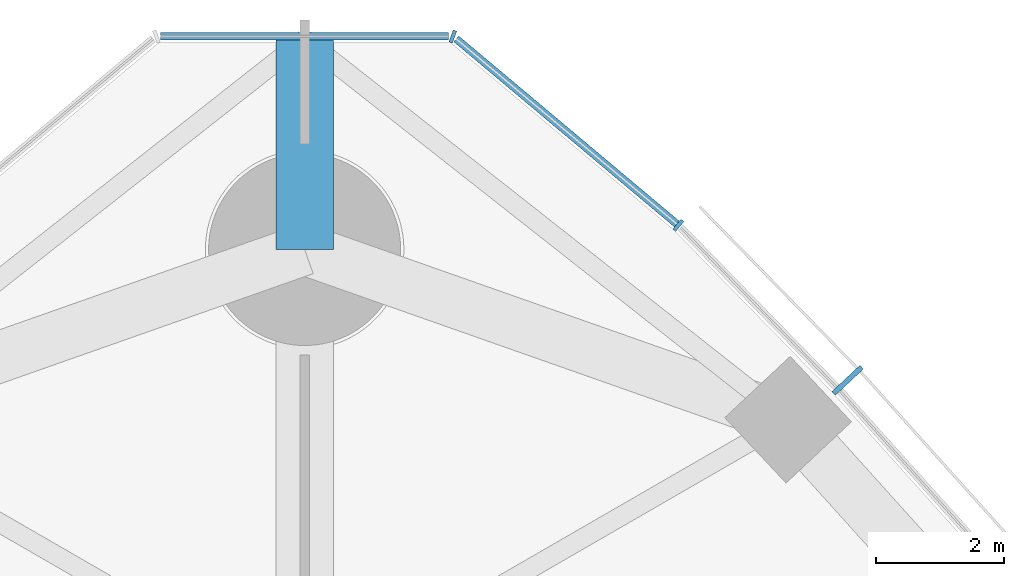
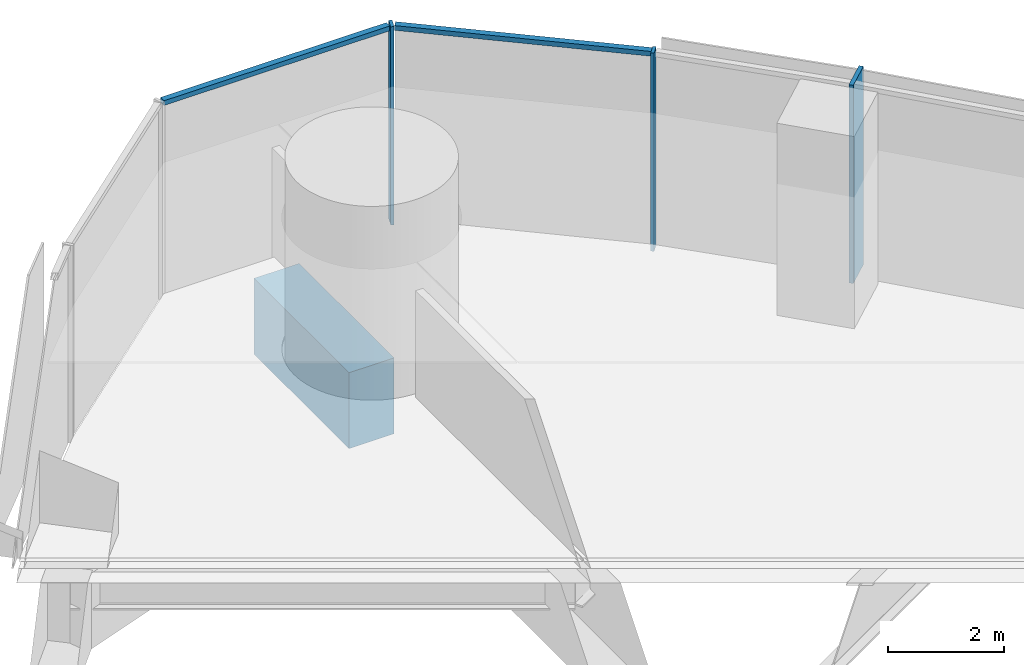
# One storey, part 8 of 19: 5 members, 1 beam, 2 elements without a shape of their own.
"""IFC4 building model written with IfcOpenShell, lengths in metres."""

from ifc_helpers import new_model, si_unit, direction, frame, origin, origin_2d, place, context, subcontext, project, spatial, rectangle, extrude, material, material_profile, profile_set, type_object, element, aggregate, save


model = new_model("IFC4")

# Units and contexts
model_context = context("Model", 3, precision=1e-05, world=origin(), true_north=direction((0.0, 1.0)))
body_context = subcontext(model_context, "Body", "Model", "MODEL_VIEW")
ifc_project = project(units=[si_unit("LENGTHUNIT", "METRE"), si_unit("AREAUNIT", "SQUARE_METRE"), si_unit("VOLUMEUNIT", "CUBIC_METRE"), si_unit("PLANEANGLEUNIT", "RADIAN"), si_unit("MASSUNIT", "GRAM", prefix="KILO")], contexts=[model_context])

# Site, building, storey
site_placement = place(None, origin())
site = spatial("IfcSite", under=ifc_project, at=site_placement, CompositionType="ELEMENT")
building_placement = place(site_placement, origin())
building = spatial("IfcBuilding", under=site, at=building_placement, Name="Trefoil Bronze Tower", CompositionType="ELEMENT")
storey_placement = place(building_placement, frame((0.0, 0.0, 248.5)))
storey = spatial("IfcBuildingStorey", under=building, at=storey_placement, Name="L57", CompositionType="ELEMENT", Elevation=248.5)

# Curtain wall, member
ifc_material_1 = material(Name="Tinted solar-control glass", Category="glass")
curtain_wall_type_1 = type_object("IfcCurtainWallType", Name="Bronze office curtain wall", PredefinedType="USERDEFINED", material=ifc_material_1)
curtain_wall_1_placement = place(storey_placement, origin())
curtain_wall_1 = element("IfcCurtainWall", 1, at=curtain_wall_1_placement, inside=storey, type_object=curtain_wall_type_1, Name="CW-A L57 F2", ObjectType="CURTAIN WALL", PredefinedType="USERDEFINED")
ifc_material_2 = material(Name="Bronze-finish aluminium", Category="aluminium")
ifc_material_profile_1 = material_profile(ifc_material_2, rectangle(XDim=0.60009765625, YDim=0.080078125, at=origin_2d()), Name="CW-A mullion")
ifc_profile_set_1 = profile_set([ifc_material_profile_1], Name="Bronze-finish aluminium")
member_type_1 = type_object("IfcMemberType", Name="Bronze office curtain wall mullion", PredefinedType="MULLION", material=ifc_profile_set_1)
member_1_placement = place(storey_placement, frame((8.482177734375, 30.95654296875, 0.0), z_axis=(0.0, 0.0, 1.0), x_axis=(-0.729859580661, -0.683597098091, 0.0)))
member_1 = element("IfcMember", 2, at=member_1_placement, type_object=member_type_1, Name="CW-A L57 F2 mullion 12", PredefinedType="MULLION", context=body_context, shape_type="SweptSolid", body=[
    extrude(rectangle(XDim=0.60009765625, YDim=0.080078125, at=origin_2d()), origin(), (0.0, 0.0, 1.0), 4.179931640625),
])
aggregate(curtain_wall_1, [member_1])

# Curtain wall, members
ifc_material_3 = material(Name="Tinted solar-control glass", Category="glass")
curtain_wall_type_2 = type_object("IfcCurtainWallType", Name="Bronze rounded corner curtain wall", PredefinedType="USERDEFINED", material=ifc_material_3)
curtain_wall_2_placement = place(storey_placement, origin())
curtain_wall_2 = element("IfcCurtainWall", 3, at=curtain_wall_2_placement, inside=storey, type_object=curtain_wall_type_2, Name="CW-B L57 K2", ObjectType="CURTAIN WALL", PredefinedType="USERDEFINED")
ifc_material_4 = material(Name="Bronze-finish aluminium", Category="aluminium")
ifc_material_profile_2 = material_profile(ifc_material_4, rectangle(XDim=0.199951171875, YDim=0.06005859375, at=origin_2d()), Name="CW-B mullion")
ifc_profile_set_2 = profile_set([ifc_material_profile_2], Name="Bronze-finish aluminium")
member_type_2 = type_object("IfcMemberType", Name="Bronze rounded corner curtain wall mullion", PredefinedType="MULLION", material=ifc_profile_set_2)
member_2_placement = place(storey_placement, frame((5.837890625, 33.3779296875, 0.0), z_axis=(0.0, 0.0, 1.0), x_axis=(-0.642787609687, -0.766044443119, 0.0)))
member_2 = element("IfcMember", 4, at=member_2_placement, type_object=member_type_2, Name="CW-B L57 K2 mullion 1", PredefinedType="MULLION", context=body_context, shape_type="SweptSolid", body=[
    extrude(rectangle(XDim=0.199951171875, YDim=0.06005859375, at=origin_2d()), origin(), (0.0, 0.0, 1.0), 4.179931640625),
])
member_3_placement = place(storey_placement, frame((2.314453125, 36.326416015625, 0.0), z_axis=(0.0, 0.0, 1.0), x_axis=(-0.342020143326, -0.939692620786, 0.0)))
member_3 = element("IfcMember", 5, at=member_3_placement, type_object=member_type_2, Name="CW-B L57 K2 mullion 2", PredefinedType="MULLION", context=body_context, shape_type="SweptSolid", body=[
    extrude(rectangle(XDim=0.199951171875, YDim=0.06005859375, at=origin_2d()), origin(), (0.0, 0.0, 1.0), 4.179931640625),
])
ifc_material_5 = material(Name="Bronze-finish aluminium", Category="aluminium")
ifc_material_profile_3 = material_profile(ifc_material_5, rectangle(XDim=0.1201171875, YDim=0.10009765625, at=origin_2d()), Name="CW-B transom")
ifc_profile_set_3 = profile_set([ifc_material_profile_3], Name="Bronze-finish aluminium")
member_type_3 = type_object("IfcMemberType", Name="Bronze rounded corner curtain wall transom", PredefinedType="USERDEFINED", material=ifc_profile_set_3)
member_4_placement = place(storey_placement, frame((5.814697265625, 33.397216796875, 4.1298828125), z_axis=(-0.766046761698, 0.642784846501, 0.0), x_axis=(-0.642784846501, -0.766046761698, 0.0)))
member_4 = element("IfcMember", 6, at=member_4_placement, type_object=member_type_3, Name="CW-B L57 K2 transom 1", ObjectType="TRANSOM", PredefinedType="USERDEFINED", context=body_context, shape_type="SweptSolid", body=[
    extrude(rectangle(XDim=0.1201171875, YDim=0.10009765625, at=origin_2d()), origin(), (0.0, 0.0, 1.0), 4.5),
])
member_5_placement = place(storey_placement, frame((2.250244140625, 36.33251953125, 4.1298828125), z_axis=(-1.0, 0.0, 0.0), x_axis=(0.0, -1.0, 0.0)))
member_5 = element("IfcMember", 7, at=member_5_placement, type_object=member_type_3, Name="CW-B L57 K2 transom 2", ObjectType="TRANSOM", PredefinedType="USERDEFINED", context=body_context, shape_type="SweptSolid", body=[
    extrude(rectangle(XDim=0.1201171875, YDim=0.10009765625, at=origin_2d()), origin(), (0.0, 0.0, 1.0), 4.50048828125),
])
aggregate(curtain_wall_2, [member_2, member_3, member_4, member_5])

# Beam
ifc_material_6 = material(Name="Concrete B80", Category="concrete")
ifc_material_profile_4 = material_profile(ifc_material_6, rectangle(XDim=0.89990234375, YDim=1.60009765625, at=origin_2d()), Name="RC 900x1600")
ifc_profile_set_4 = profile_set([ifc_material_profile_4], Name="Concrete B80")
beam_type = type_object("IfcBeamType", Name="Corner cantilever RC 900x1600", PredefinedType="BEAM", material=ifc_profile_set_4)
beam_placement = place(storey_placement, frame((0.0, 33.0, -1.0), z_axis=(0.0, 1.0, 0.0), x_axis=(-1.0, 0.0, 0.0)))
element("IfcBeam", 8, at=beam_placement, inside=storey, type_object=beam_type, Name="Corner cantilever K2 L57", PredefinedType="BEAM", context=body_context, shape_type="SweptSolid", body=[
    extrude(rectangle(XDim=0.89990234375, YDim=1.60009765625, at=origin_2d()), origin(), (0.0, 0.0, 1.0), 3.28466796875),
])

save(model, "model.ifc")
